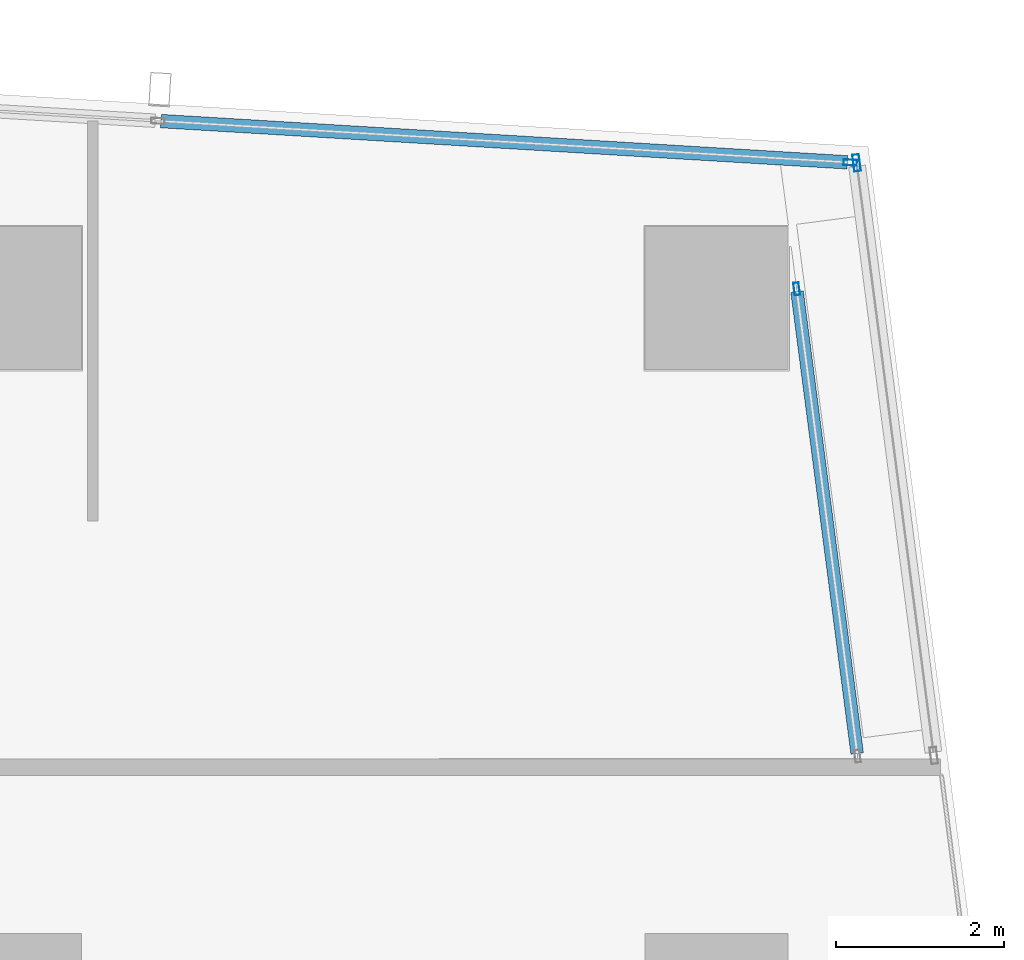
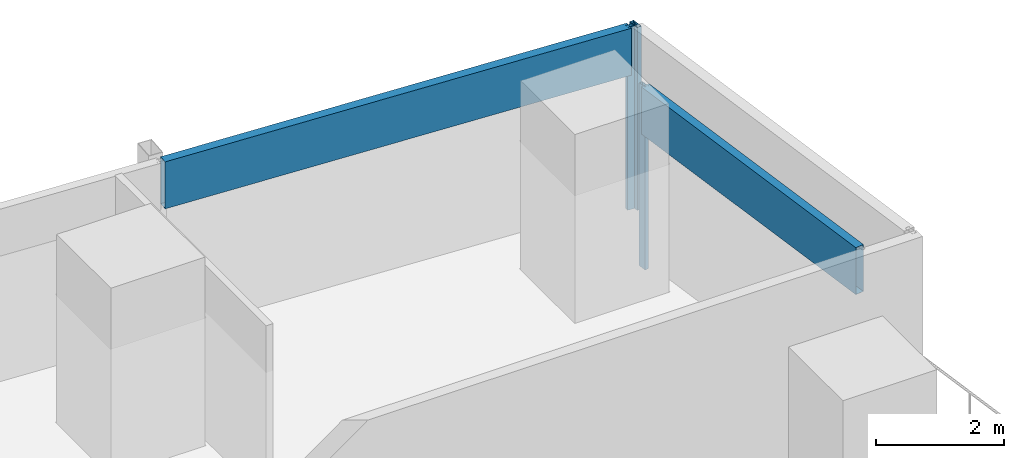
# One storey, part 22 of 40: 5 members, 3 elements without a shape of their own.
"""IFC4 building model written with IfcOpenShell, lengths in metres."""

from ifc_helpers import new_model, si_unit, direction, frame, origin, origin_2d, place, context, subcontext, project, spatial, hollow_rectangle, extrude, material, material_profile, profile_set, type_object, element, aggregate, save


model = new_model("IFC4")

# Units and contexts
model_context = context("Model", 3, precision=1e-05, world=origin(), true_north=direction((0.0, 1.0)))
body_context = subcontext(model_context, "Body", "Model", "MODEL_VIEW")
ifc_project = project(units=[si_unit("LENGTHUNIT", "METRE"), si_unit("AREAUNIT", "SQUARE_METRE"), si_unit("VOLUMEUNIT", "CUBIC_METRE"), si_unit("PLANEANGLEUNIT", "RADIAN"), si_unit("MASSUNIT", "GRAM", prefix="KILO")], contexts=[model_context])

# Site, building, storey
site_placement = place(None, origin())
site = spatial("IfcSite", under=ifc_project, at=site_placement, CompositionType="ELEMENT")
building_placement = place(site_placement, origin())
building = spatial("IfcBuilding", under=site, at=building_placement, Name="Rekha Terrace Tower", CompositionType="ELEMENT")
storey_placement = place(building_placement, frame((0.0, 0.0, 129.050048828125)))
storey = spatial("IfcBuildingStorey", under=building, at=storey_placement, Name="L32", CompositionType="ELEMENT", Elevation=129.050048828125)

# Curtain wall, members
ifc_material_1 = material(Name="Aluminium framing", Category="aluminium")
curtain_wall_type_1 = type_object("IfcCurtainWallType", Name="CW1 double skin inner glazing", PredefinedType="USERDEFINED", material=ifc_material_1)
curtain_wall_1_placement = place(storey_placement, origin())
curtain_wall_1 = element("IfcCurtainWall", 1, at=curtain_wall_1_placement, inside=storey, type_object=curtain_wall_type_1, Name="CW1 double skin inner glazing", ObjectType="DOUBLE SKIN INNER GLAZING", PredefinedType="USERDEFINED")
ifc_material_2 = material(Name="Aluminium mullion section", Category="aluminium")
ifc_material_profile_1 = material_profile(ifc_material_2, hollow_rectangle(XDim=0.06494140625, YDim=0.14990234375, WallThickness=0.00390625, at=origin_2d()), Name="AL RHS 65x150")
ifc_profile_set_1 = profile_set([ifc_material_profile_1], Name="Aluminium mullion section")
member_type_1 = type_object("IfcMemberType", Name="CW1 mullion RHS 65 x 150", PredefinedType="MULLION", material=ifc_profile_set_1)
member_1_placement = place(storey_placement, frame((68.15087890625, 58.910888671875, 0.0), z_axis=(0.0, 0.0, 1.0), x_axis=(-0.991629186228, -0.129118383745, 0.0)))
member_1 = element("IfcMember", 2, at=member_1_placement, type_object=member_type_1, Name="CW1 mullion 2", PredefinedType="MULLION", context=body_context, shape_type="SweptSolid", body=[
    extrude(hollow_rectangle(XDim=0.06494140625, YDim=0.14990234375, WallThickness=0.00390625, at=origin_2d()), origin(), (0.0, 0.0, 1.0), 3.5),
])
ifc_material_3 = material(Name="Insulated aluminium spandrel box", Category="aluminium")
ifc_material_profile_2 = material_profile(ifc_material_3, hollow_rectangle(XDim=0.14990234375, YDim=0.89990234375, WallThickness=0.0029296875, at=origin_2d()), Name="AL SPANDREL BOX 150x900")
ifc_profile_set_2 = profile_set([ifc_material_profile_2], Name="Insulated aluminium spandrel box")
member_type_2 = type_object("IfcMemberType", Name="CW1 spandrel transom 150 x 900", PredefinedType="USERDEFINED", material=ifc_profile_set_2)
member_2_placement = place(storey_placement, frame((68.869873046875, 53.389404296875, 3.050048828125), z_axis=(-0.129092181693, 0.991632597601, 0.0), x_axis=(-0.991632597601, -0.129092181693, 0.0)))
member_2 = element("IfcMember", 3, at=member_2_placement, type_object=member_type_2, Name="CW1 spandrel transom 1", ObjectType="TRANSOM", PredefinedType="USERDEFINED", context=body_context, shape_type="SweptSolid", body=[
    extrude(hollow_rectangle(XDim=0.14990234375, YDim=0.89990234375, WallThickness=0.0029296875, at=origin_2d()), origin(), (0.0, 0.0, 1.0), 5.53564453125),
])
aggregate(curtain_wall_1, [member_1, member_2])

# Curtain wall, member
curtain_wall_type_2 = type_object("IfcCurtainWallType", Name="CW2 double skin outer glazing", PredefinedType="USERDEFINED", material=ifc_material_1)
curtain_wall_2_placement = place(storey_placement, origin())
curtain_wall_2 = element("IfcCurtainWall", 4, at=curtain_wall_2_placement, inside=storey, type_object=curtain_wall_type_2, Name="CW2 double skin outer glazing", ObjectType="DOUBLE SKIN OUTER GLAZING", PredefinedType="USERDEFINED")
ifc_material_profile_3 = material_profile(ifc_material_2, hollow_rectangle(XDim=0.080078125, YDim=0.199951171875, WallThickness=0.00390625, at=origin_2d()), Name="AL RHS 80x200")
ifc_profile_set_3 = profile_set([ifc_material_profile_3], Name="Aluminium mullion section")
member_type_3 = type_object("IfcMemberType", Name="CW2 mullion RHS 80 x 200", PredefinedType="MULLION", material=ifc_profile_set_3)
member_3_placement = place(storey_placement, frame((68.863525390625, 60.408447265625, 0.0), z_axis=(0.0, 0.0, 1.0), x_axis=(-0.991629186232, -0.12911838371, 0.0)))
member_3 = element("IfcMember", 5, at=member_3_placement, type_object=member_type_3, Name="CW2 mullion 2", PredefinedType="MULLION", context=body_context, shape_type="SweptSolid", body=[
    extrude(hollow_rectangle(XDim=0.080078125, YDim=0.199951171875, WallThickness=0.00390625, at=origin_2d()), origin(), (0.0, 0.0, 1.0), 3.5),
])
aggregate(curtain_wall_2, [member_3])

# Curtain wall, members
curtain_wall_type_3 = type_object("IfcCurtainWallType", Name="CW3 north unitised glazing", PredefinedType="USERDEFINED", material=ifc_material_1)
curtain_wall_3_placement = place(storey_placement, origin())
curtain_wall_3 = element("IfcCurtainWall", 6, at=curtain_wall_3_placement, inside=storey, type_object=curtain_wall_type_3, Name="CW3 unitised curtain wall", ObjectType="UNITISED CURTAIN WALL", PredefinedType="USERDEFINED")
ifc_material_profile_4 = material_profile(ifc_material_2, hollow_rectangle(XDim=0.070068359375, YDim=0.159912109375, WallThickness=0.00390625, at=origin_2d()), Name="AL RHS 70x160")
ifc_profile_set_4 = profile_set([ifc_material_profile_4], Name="Aluminium mullion section")
member_type_4 = type_object("IfcMemberType", Name="CW3 mullion RHS 70 x 160", PredefinedType="MULLION", material=ifc_profile_set_4)
member_4_placement = place(storey_placement, frame((68.7880859375, 60.412353515625, 0.0), z_axis=(0.0, 0.0, 1.0), x_axis=(-0.059987926837, -0.998199102701, 0.0)))
member_4 = element("IfcMember", 7, at=member_4_placement, type_object=member_type_4, Name="CW3 mullion 1", PredefinedType="MULLION", context=body_context, shape_type="SweptSolid", body=[
    extrude(hollow_rectangle(XDim=0.070068359375, YDim=0.159912109375, WallThickness=0.00390625, at=origin_2d()), origin(), (0.0, 0.0, 1.0), 3.5),
])
ifc_material_profile_5 = material_profile(ifc_material_3, hollow_rectangle(XDim=0.159912109375, YDim=0.89990234375, WallThickness=0.0029296875, at=origin_2d()), Name="AL SPANDREL BOX 160x900")
ifc_profile_set_5 = profile_set([ifc_material_profile_5], Name="Insulated aluminium spandrel box")
member_type_5 = type_object("IfcMemberType", Name="CW3 spandrel transom 160 x 900", PredefinedType="USERDEFINED", material=ifc_profile_set_5)
member_5_placement = place(storey_placement, frame((68.753173828125, 60.41455078125, 3.050048828125), z_axis=(-0.998198874769, 0.05999171951, 0.0), x_axis=(-0.05999171951, -0.998198874769, 0.0)))
member_5 = element("IfcMember", 8, at=member_5_placement, type_object=member_type_5, Name="CW3 spandrel transom 1", ObjectType="TRANSOM", PredefinedType="USERDEFINED", context=body_context, shape_type="SweptSolid", body=[
    extrude(hollow_rectangle(XDim=0.159912109375, YDim=0.89990234375, WallThickness=0.0029296875, at=origin_2d()), origin(), (0.0, 0.0, 1.0), 8.171630859375),
])
aggregate(curtain_wall_3, [member_4, member_5])

save(model, "model.ifc")
